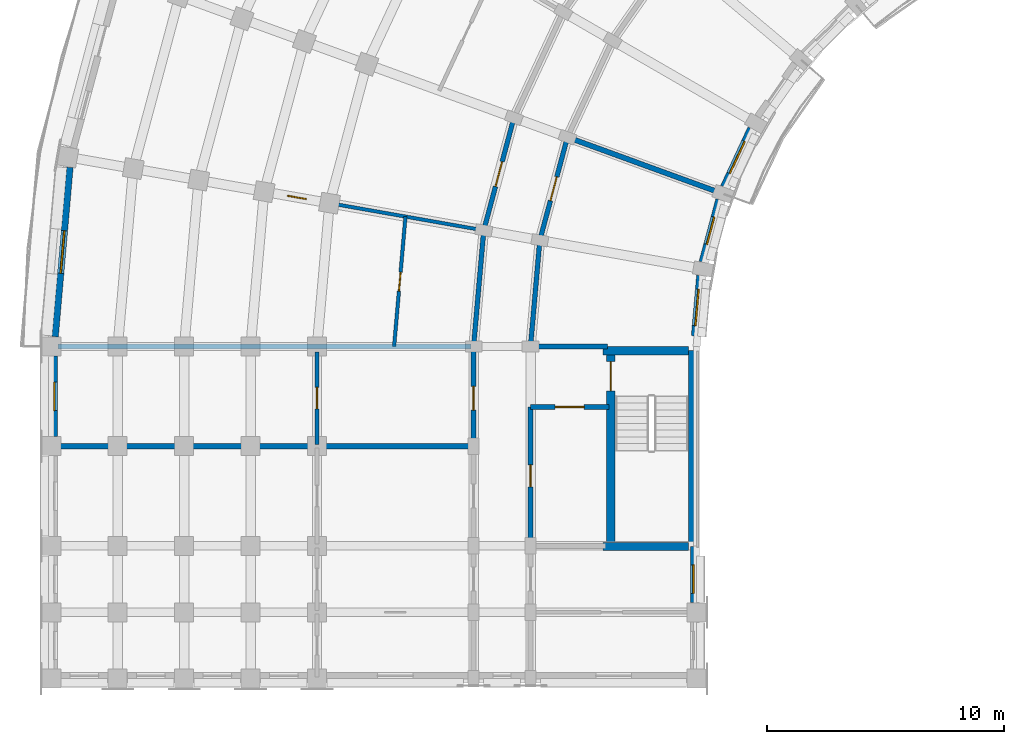
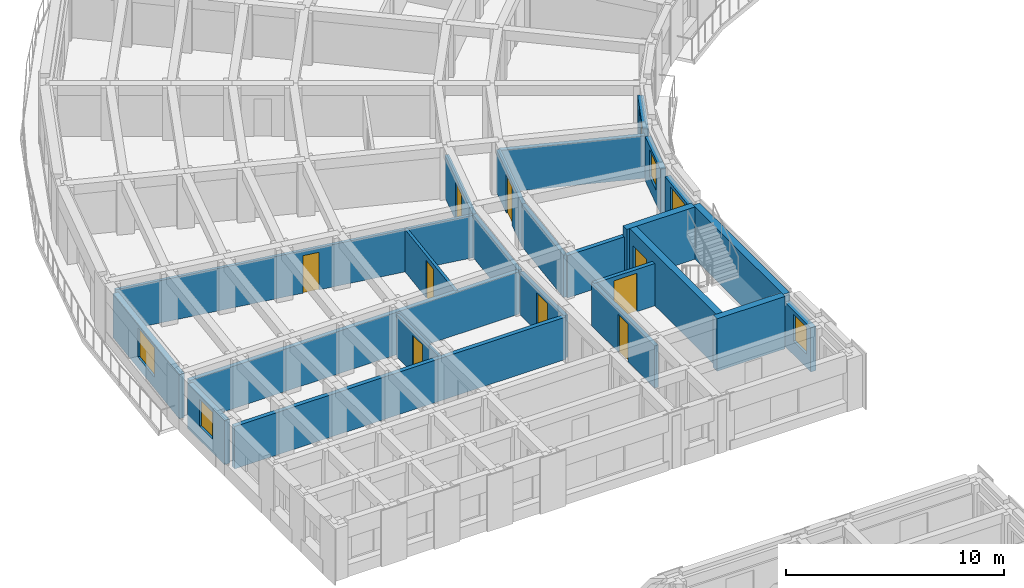
# One storey, part 23 of 54: 24 walls, 9 doors, 6 windows, 15 openings.
"""IFC4 building model written with IfcOpenShell, lengths in metres."""

import ifcopenshell
import ifcopenshell.guid

model = None  # the IFC model being written
_history = None  # IfcOwnerHistory: only IFC2X3 demands one
_inside = {}  # id of a spatial element -> (the spatial element, [elements in it])
_under = {}  # id of a project, library or spatial element -> (it, [spatial elements below it])
_declared = {}  # id of a project -> (the project, [libraries it declares])
_typed = {}  # id of a type object -> (the type object, [elements of that type])
_made_of = {}  # id of a material, layer set ... -> (it, [elements and type objects made of it])


def new_model(schema):
    """Start an empty IFC model of exactly this schema.

    Asked for "IFC4X3", IfcOpenShell would pick the latest addendum, in which some entities
    have other attributes; the version numbers below select the first issue.
    IFC2X3 requires an IfcOwnerHistory on every rooted entity: one is made here for all.
    """
    global model, _history
    if schema == "IFC4X3":
        model = ifcopenshell.file(schema_version=(4, 3, 0, 0))
    else:
        model = ifcopenshell.file(schema=schema)
    _inside.clear()
    _under.clear()
    _declared.clear()
    _typed.clear()
    _made_of.clear()
    _history = None
    if model.schema == "IFC2X3":
        org = make("IfcOrganization", Name="unknown")
        user = make(
            "IfcPersonAndOrganization",
            ThePerson=make("IfcPerson", FamilyName="unknown"),
            TheOrganization=org,
        )
        app = make(
            "IfcApplication",
            ApplicationDeveloper=org,
            Version="unknown",
            ApplicationFullName="unknown",
            ApplicationIdentifier="unknown",
        )
        _history = make(
            "IfcOwnerHistory",
            OwningUser=user,
            OwningApplication=app,
            ChangeAction="ADDED",
            CreationDate=0,
        )
    return model


def make(cls, **values):
    """One entity of the class cls with the attributes given. An attribute that is None is left unset."""
    return model.create_entity(
        cls, **{name: value for name, value in values.items() if value is not None}
    )


def rooted(cls, **values):
    """An entity with a GlobalId (a new one), such as an element, a storey or a relation."""
    return make(cls, GlobalId=ifcopenshell.guid.new(), OwnerHistory=_history, **values)


def si_unit(unit_type, name, prefix=None):
    """IfcSIUnit, for example si_unit("LENGTHUNIT", "METRE", prefix="MILLI")."""
    return make("IfcSIUnit", UnitType=unit_type, Prefix=prefix, Name=name)


def assignment(units):
    """IfcUnitAssignment: the units of a project."""
    return None if units is None else make("IfcUnitAssignment", Units=units)


def point(xyz):
    """IfcCartesianPoint."""
    return None if xyz is None else make("IfcCartesianPoint", Coordinates=xyz)


def direction(xyz):
    """IfcDirection."""
    return None if xyz is None else make("IfcDirection", DirectionRatios=xyz)


def frame(location, z_axis=None, x_axis=None):
    """IfcAxis2Placement3D, a coordinate frame: its origin and axes. An axis left out is left unset."""
    return make(
        "IfcAxis2Placement3D",
        Location=point(location),
        Axis=direction(z_axis),
        RefDirection=direction(x_axis),
    )


def frame_2d(location, x_axis=None):
    """IfcAxis2Placement2D, a coordinate frame in the plane: its origin and x axis."""
    return make(
        "IfcAxis2Placement2D", Location=point(location), RefDirection=direction(x_axis)
    )


def origin():
    """The frame at (0, 0, 0) with its axes left unset."""
    return frame((0.0, 0.0, 0.0))


def place(relative_to, where):
    """IfcLocalPlacement: puts the frame where relative to a parent placement (None: the world)."""
    return make(
        "IfcLocalPlacement", PlacementRelTo=relative_to, RelativePlacement=where
    )


def context(
    kind, dimensions, precision=None, world=None, true_north=None, identifier=None
):
    """IfcGeometricRepresentationContext, for example the 3D "Model" context."""
    return make(
        "IfcGeometricRepresentationContext",
        ContextIdentifier=identifier,
        ContextType=kind,
        CoordinateSpaceDimension=dimensions,
        Precision=precision,
        WorldCoordinateSystem=world,
        TrueNorth=true_north,
    )


def subcontext(parent, identifier, kind, view, scale=None):
    """IfcGeometricRepresentationSubContext, for example "Body" below "Model"."""
    return make(
        "IfcGeometricRepresentationSubContext",
        ContextIdentifier=identifier,
        ContextType=kind,
        ParentContext=parent,
        TargetScale=scale,
        TargetView=view,
    )


def project(units=None, contexts=None):
    """IfcProject with its units and contexts."""
    return rooted(
        "IfcProject",
        Name="project",
        RepresentationContexts=contexts,
        UnitsInContext=assignment(units),
    )


def spatial(cls, under=None, at=None, **own):
    """A site, building, storey or space (cls), placed at a placement, below another one or the project."""
    s = rooted(cls, ObjectPlacement=at, **own)
    if under is not None:
        _under.setdefault(under.id(), (under, []))[1].append(s)
    return s


def profile(cls, at=None, kind="AREA", **sizes):
    """A parametric profile (cls). Its sizes go by their IFC names, for example OverallWidth=200.0."""
    return make(cls, ProfileType=kind, Position=at, **sizes)


def rectangle(**sizes):
    """IfcRectangleProfileDef."""
    return profile("IfcRectangleProfileDef", **sizes)


def extrude(swept, where, along, depth):
    """IfcExtrudedAreaSolid: the profile swept, set in the frame where, extruded along a direction by depth."""
    return make(
        "IfcExtrudedAreaSolid",
        SweptArea=swept,
        Position=where,
        ExtrudedDirection=direction(along),
        Depth=depth,
    )


def shape(context_of_items, identifier, shape_type, items):
    """IfcShapeRepresentation: the items that make up one representation, for example the "Body"."""
    return make(
        "IfcShapeRepresentation",
        ContextOfItems=context_of_items,
        RepresentationIdentifier=identifier,
        RepresentationType=shape_type,
        Items=items,
    )


def material(Name=None, Category=None):
    """IfcMaterial."""
    return make("IfcMaterial", Name=Name, Category=Category)


def layer(
    of_material, thickness, ventilated=None, Name=None, Category=None, Priority=None
):
    """IfcMaterialLayer: one layer of a wall or slab, of a material (None: an air gap)."""
    return make(
        "IfcMaterialLayer",
        Material=of_material,
        LayerThickness=thickness,
        IsVentilated=ventilated,
        Name=Name,
        Category=Category,
        Priority=Priority,
    )


def layer_set(layers, Name=None):
    """IfcMaterialLayerSet."""
    return make("IfcMaterialLayerSet", MaterialLayers=layers, LayerSetName=Name)


def made_of(thing, what):
    """Note that an element or type object is made of a material, layer set ...; save() writes the relation."""
    if what is not None:
        _made_of.setdefault(what.id(), (what, []))[1].append(thing)
    return thing


def type_object(cls, material=None, **own):
    """A type object (cls), such as IfcWallType, which elements share."""
    return made_of(rooted(cls, **own), material)


def element(
    cls,
    number,
    at=None,
    inside=None,
    cuts=None,
    type_object=None,
    material=None,
    context=None,
    identifier="Body",
    shape_type=None,
    held_by="IfcProductDefinitionShape",
    body=None,
    shapes=None,
    **own,
):
    """One element of the class cls, such as IfcWall. Its Tag is "e" and its number.

    at: its placement. inside: the storey or other place that contains it. cuts: it is an
    opening in that element (IfcRelVoidsElement). A single representation is given by context,
    identifier, shape_type and body (its items); several are given by shapes. held_by: the class
    of the entity that holds the representations. save() writes the other relations.
    """
    e = rooted(cls, Tag="e%d" % number, ObjectPlacement=at, **own)
    if body is not None:
        shapes = [shape(context, identifier, shape_type, body)]
    if shapes is not None:
        e.Representation = make(held_by, Representations=shapes)
    if inside is not None:
        _inside.setdefault(inside.id(), (inside, []))[1].append(e)
    if cuts is not None:
        rooted(
            "IfcRelVoidsElement", RelatingBuildingElement=cuts, RelatedOpeningElement=e
        )
    if type_object is not None:
        _typed.setdefault(type_object.id(), (type_object, []))[1].append(e)
    return made_of(e, material)


def fill(opening, filler):
    """IfcRelFillsElement: the door or window that sits in an opening."""
    return rooted(
        "IfcRelFillsElement",
        RelatingOpeningElement=opening,
        RelatedBuildingElement=filler,
    )


def aggregate(whole, parts):
    """IfcRelAggregates: a whole, such as a stair, and the parts it consists of."""
    return rooted("IfcRelAggregates", RelatingObject=whole, RelatedObjects=parts)


def save(model, path):
    """Write the relations noted so far, then the file.

    IfcRelAggregates (storeys below a building ...), IfcRelContainedInSpatialStructure (elements
    in a storey), IfcRelDefinesByType, IfcRelAssociatesMaterial and IfcRelDeclares: one each for
    every whole, place, type object, material and project.
    """
    for whole, parts in _under.values():
        aggregate(whole, parts)
    for where, things in _inside.values():
        rooted(
            "IfcRelContainedInSpatialStructure",
            RelatedElements=things,
            RelatingStructure=where,
        )
    for kind, things in _typed.values():
        rooted("IfcRelDefinesByType", RelatedObjects=things, RelatingType=kind)
    for what, things in _made_of.values():
        rooted("IfcRelAssociatesMaterial", RelatedObjects=things, RelatingMaterial=what)
    for by, libraries in _declared.values():
        rooted("IfcRelDeclares", RelatingContext=by, RelatedDefinitions=libraries)
    model.write(path)


model = new_model("IFC4")

# Units and contexts
model_context = context("Model", 3, precision=1e-05, world=origin(), true_north=direction((0.0, 1.0)))
body_context = subcontext(model_context, "Body", "Model", "MODEL_VIEW")
ifc_project = project(units=[si_unit("LENGTHUNIT", "METRE"), si_unit("AREAUNIT", "SQUARE_METRE"), si_unit("VOLUMEUNIT", "CUBIC_METRE"), si_unit("PLANEANGLEUNIT", "RADIAN"), si_unit("MASSUNIT", "GRAM", prefix="KILO")], contexts=[model_context])

# Site, building, storey
site_placement = place(None, origin())
site = spatial("IfcSite", under=ifc_project, at=site_placement, CompositionType="ELEMENT")
building_placement = place(site_placement, origin())
building = spatial("IfcBuilding", under=site, at=building_placement, Name="Kiranvali Square Residences", CompositionType="ELEMENT")
storey_placement = place(building_placement, frame((0.0, 0.0, 15.0)))
storey = spatial("IfcBuildingStorey", under=building, at=storey_placement, Name="L04", CompositionType="ELEMENT", Elevation=15.0)

# Wall, opening, door
ifc_material_1 = material(Name="Autoclaved aerated concrete blockwork masonry", Category="masonry")
ifc_layer_1 = layer(ifc_material_1, 0.199951171875)
ifc_layer_set_1 = layer_set([ifc_layer_1], Name="Autoclaved aerated concrete blockwork masonry")
wall_type_1 = type_object("IfcWallType", Name="WL-COR-200", PredefinedType="STANDARD", material=ifc_layer_set_1)
wall_1_placement = place(storey_placement, frame((25.699951171875, 85.25, 0.0), z_axis=(0.0, 0.0, 1.0), x_axis=(-1.0, 0.0, 0.0)))
wall_1 = element("IfcWall", 1, at=wall_1_placement, inside=storey, type_object=wall_type_1, Name="L04 architectural wall WL-L04-A-S3-V", PredefinedType="STANDARD", context=body_context, shape_type="SweptSolid", body=[
    extrude(rectangle(XDim=3.300048828125, YDim=0.199951171875, at=frame_2d((1.64990234375, 0.0))), origin(), (0.0, 0.0, 1.0), 2.3720703125),
])
opening_1_placement = place(wall_1_placement, frame((1.0400390625, 0.0, 0.0)))
opening_1 = element("IfcOpeningElement", 2, at=opening_1_placement, cuts=wall_1, Name="Opening FD-COR-60", PredefinedType="OPENING", context=body_context, shape_type="SweptSolid", body=[
    extrude(rectangle(XDim=1.219970703125, YDim=2.14990234375, at=frame_2d((0.60986328125, 1.074951171875))), frame((0.0, 0.10986328125, 0.0), z_axis=(0.0, -1.0, 0.0), x_axis=(1.0, 0.0, 0.0)), (0.0, 0.0, 1.0), 0.219970703125),
])
ifc_material_2 = material(Name="Fire-rated acoustic hardwood and mineral-core door assembly", Category="wood")
door_type_1 = type_object("IfcDoorType", Name="DR-FD60-1200", OperationType="NOTDEFINED", PredefinedType="DOOR", material=ifc_material_2)
door_1_placement = place(opening_1_placement, frame((1.219970703125, 0.0, 0.0), z_axis=(0.0, 0.0, 1.0), x_axis=(-1.0, 0.0, 0.0)))
door_1 = element("IfcDoor", 3, at=door_1_placement, inside=storey, type_object=door_type_1, Name="L04 door DR-L04-0284 (DR-FD60-1200)", OperationType="SINGLE_SWING_RIGHT", OverallHeight=2.14990234375, OverallWidth=1.219970703125, PredefinedType="DOOR", context=body_context, shape_type="SweptSolid", body=[
    extrude(rectangle(XDim=1.219970703125, YDim=2.14990234375, at=frame_2d((0.60986328125, 1.074951171875))), frame((0.0, 0.02490234375, 0.0), z_axis=(0.0, -1.0, 0.0), x_axis=(1.0, 0.0, 0.0)), (0.0, 0.0, 1.0), 0.050048828125),
])
fill(opening_1, door_1)

wall_2_placement = place(storey_placement, frame((22.39990234375, 85.25, 0.0), z_axis=(0.0, 0.0, 1.0), x_axis=(0.0, -1.0, 0.0)))
wall_2 = element("IfcWall", 4, at=wall_2_placement, inside=storey, type_object=wall_type_1, Name="L04 architectural wall WL-L04-A-S3-COR", PredefinedType="STANDARD", context=body_context, shape_type="SweptSolid", body=[
    extrude(rectangle(XDim=5.800048828125, YDim=0.199951171875, at=frame_2d((2.89990234375, 0.0))), origin(), (0.0, 0.0, 1.0), 2.3720703125),
])
opening_2_placement = place(wall_2_placement, frame((2.43994140625, 0.0, 0.0)))
opening_2 = element("IfcOpeningElement", 5, at=opening_2_placement, cuts=wall_2, Name="Opening FD-SVC-120", PredefinedType="OPENING", context=body_context, shape_type="SweptSolid", body=[
    extrude(rectangle(XDim=0.919921875, YDim=2.10009765625, at=frame_2d((0.4599609375, 1.050048828125))), frame((0.0, 0.10986328125, 0.0), z_axis=(0.0, -1.0, 0.0), x_axis=(1.0, 0.0, 0.0)), (0.0, 0.0, 1.0), 0.219970703125),
])
door_type_2 = type_object("IfcDoorType", Name="DR-SVC-900", OperationType="NOTDEFINED", PredefinedType="DOOR", material=ifc_material_2)
door_2_placement = place(opening_2_placement, origin())
door_2 = element("IfcDoor", 6, at=door_2_placement, inside=storey, type_object=door_type_2, Name="L04 door DR-L04-0285 (DR-SVC-900)", OperationType="SINGLE_SWING_LEFT", OverallHeight=2.10009765625, OverallWidth=0.919921875, PredefinedType="DOOR", context=body_context, shape_type="SweptSolid", body=[
    extrude(rectangle(XDim=0.919921875, YDim=2.10009765625, at=frame_2d((0.4599609375, 1.050048828125))), frame((0.0, 0.02490234375, 0.0), z_axis=(0.0, -1.0, 0.0), x_axis=(1.0, 0.0, 0.0)), (0.0, 0.0, 1.0), 0.050048828125),
])
fill(opening_2, door_2)

wall_3_placement = place(storey_placement, frame((23.955810546875, 96.6240234375, 0.0), z_axis=(0.0, 0.0, 1.0), x_axis=(-0.258787642463, -0.965934240054, 0.0)))
wall_3 = element("IfcWall", 7, at=wall_3_placement, inside=storey, type_object=wall_type_1, Name="L04 architectural wall WL-L04-A-CCI-7", PredefinedType="STANDARD", context=body_context, shape_type="SweptSolid", body=[
    extrude(rectangle(XDim=4.497314453125, YDim=0.199951171875, at=frame_2d((2.24853515625, 0.0))), origin(), (0.0, 0.0, 1.0), 2.3720703125),
])
opening_3_placement = place(wall_3_placement, frame((1.728515625, 0.0, 0.0)))
opening_3 = element("IfcOpeningElement", 8, at=opening_3_placement, cuts=wall_3, Name="Opening FD-APT-60B", PredefinedType="OPENING", context=body_context, shape_type="SweptSolid", body=[
    extrude(rectangle(XDim=1.0400390625, YDim=2.14990234375, at=frame_2d((0.52001953125, 1.074951171875))), frame((0.0, 0.10986328125, 0.0), z_axis=(0.0, -1.0, 0.0), x_axis=(1.0, 0.0, 0.0)), (0.0, 0.0, 1.0), 0.219970703125),
])
door_type_3 = type_object("IfcDoorType", Name="DR-APT-1040", OperationType="NOTDEFINED", PredefinedType="DOOR", material=ifc_material_2)
door_3_placement = place(opening_3_placement, origin())
door_3 = element("IfcDoor", 9, at=door_3_placement, inside=storey, type_object=door_type_3, Name="L04 door DR-L04-0319 (DR-APT-1040)", OperationType="SINGLE_SWING_LEFT", OverallHeight=2.14990234375, OverallWidth=1.0400390625, PredefinedType="DOOR", context=body_context, shape_type="SweptSolid", body=[
    extrude(rectangle(XDim=1.0400390625, YDim=2.14990234375, at=frame_2d((0.52001953125, 1.074951171875))), frame((0.0, 0.02490234375, 0.0), z_axis=(0.0, -1.0, 0.0), x_axis=(1.0, 0.0, 0.0)), (0.0, 0.0, 1.0), 0.050048828125),
])
fill(opening_3, door_3)

wall_4_placement = place(storey_placement, frame((21.70068359375, 97.445068359375, 0.0), z_axis=(0.0, 0.0, 1.0), x_axis=(-0.258803112091, -0.965930095386, 0.0)))
wall_4 = element("IfcWall", 10, at=wall_4_placement, inside=storey, type_object=wall_type_1, Name="L04 architectural wall WL-L04-A-CCO-7", PredefinedType="STANDARD", context=body_context, shape_type="SweptSolid", body=[
    extrude(rectangle(XDim=4.915771484375, YDim=0.199951171875, at=frame_2d((2.4580078125, 0.0))), origin(), (0.0, 0.0, 1.0), 2.3720703125),
])
opening_4_placement = place(wall_4_placement, frame((1.917724609375, 0.0, 0.0)))
opening_4 = element("IfcOpeningElement", 11, at=opening_4_placement, cuts=wall_4, Name="Opening FD-APT-60C", PredefinedType="OPENING", context=body_context, shape_type="SweptSolid", body=[
    extrude(rectangle(XDim=1.080078125, YDim=2.14990234375, at=frame_2d((0.5400390625, 1.074951171875))), frame((0.0, 0.10986328125, 0.0), z_axis=(0.0, -1.0, 0.0), x_axis=(1.0, 0.0, 0.0)), (0.0, 0.0, 1.0), 0.219970703125),
])
door_type_4 = type_object("IfcDoorType", Name="DR-APT-1080", OperationType="NOTDEFINED", PredefinedType="DOOR", material=ifc_material_2)
door_4_placement = place(opening_4_placement, frame((1.080078125, 0.0, 0.0), z_axis=(0.0, 0.0, 1.0), x_axis=(-1.0, 0.0, 0.0)))
door_4 = element("IfcDoor", 12, at=door_4_placement, inside=storey, type_object=door_type_4, Name="L04 door DR-L04-0314 (DR-APT-1080)", OperationType="SINGLE_SWING_RIGHT", OverallHeight=2.14990234375, OverallWidth=1.080078125, PredefinedType="DOOR", context=body_context, shape_type="SweptSolid", body=[
    extrude(rectangle(XDim=1.080078125, YDim=2.14990234375, at=frame_2d((0.5400390625, 1.074951171875))), frame((0.0, 0.02490234375, 0.0), z_axis=(0.0, -1.0, 0.0), x_axis=(1.0, 0.0, 0.0)), (0.0, 0.0, 1.0), 0.050048828125),
])
fill(opening_4, door_4)

# Walls
wall_5_placement = place(storey_placement, frame((22.7919921875, 92.280029296875, 0.0), z_axis=(0.0, 0.0, 1.0), x_axis=(-0.087187153726, -0.996191949488, 0.0)))
element("IfcWall", 13, at=wall_5_placement, inside=storey, type_object=wall_type_1, Name="L04 architectural wall WL-L04-A-CCI-8", PredefinedType="STANDARD", context=body_context, shape_type="SweptSolid", body=[
    extrude(rectangle(XDim=4.4970703125, YDim=0.199951171875, at=frame_2d((2.24853515625, 0.0))), origin(), (0.0, 0.0, 1.0), 2.3720703125),
])
wall_6_placement = place(storey_placement, frame((20.428466796875, 92.69677734375, 0.0), z_axis=(0.0, 0.0, 1.0), x_axis=(-0.087167566415, -0.996193663584, 0.0)))
element("IfcWall", 14, at=wall_6_placement, inside=storey, type_object=wall_type_1, Name="L04 architectural wall WL-L04-A-CCO-8", PredefinedType="STANDARD", context=body_context, shape_type="SweptSolid", body=[
    extrude(rectangle(XDim=4.91552734375, YDim=0.199951171875, at=frame_2d((2.457763671875, 0.0))), origin(), (0.0, 0.0, 1.0), 2.3720703125),
])

# Wall, opening, door
wall_7_placement = place(storey_placement, frame((20.0, 87.64990234375, 0.0), z_axis=(0.0, 0.0, 1.0), x_axis=(0.0, -1.0, 0.0)))
wall_7 = element("IfcWall", 15, at=wall_7_placement, inside=storey, type_object=wall_type_1, Name="L04 architectural wall WL-L04-A-A2CF-C0", PredefinedType="STANDARD", context=body_context, shape_type="SweptSolid", body=[
    extrude(rectangle(XDim=4.0498046875, YDim=0.199951171875, at=frame_2d((2.02490234375, 0.0))), origin(), (0.0, 0.0, 1.0), 2.3720703125),
])
opening_5_placement = place(wall_7_placement, frame((1.52490234375, 0.0, 0.0)))
opening_5 = element("IfcOpeningElement", 16, at=opening_5_placement, cuts=wall_7, Name="Opening FD-APT-60", PredefinedType="OPENING", context=body_context, shape_type="SweptSolid", body=[
    extrude(rectangle(XDim=1.0, YDim=2.14990234375, at=frame_2d((0.5, 1.074951171875))), frame((0.0, 0.10986328125, 0.0), z_axis=(0.0, -1.0, 0.0), x_axis=(1.0, 0.0, 0.0)), (0.0, 0.0, 1.0), 0.219970703125),
])
door_type_5 = type_object("IfcDoorType", Name="DR-APT-1000", OperationType="NOTDEFINED", PredefinedType="DOOR", material=ifc_material_2)
door_5_placement = place(opening_5_placement, frame((1.0, 0.0, 0.0), z_axis=(0.0, 0.0, 1.0), x_axis=(-1.0, 0.0, 0.0)))
door_5 = element("IfcDoor", 17, at=door_5_placement, inside=storey, type_object=door_type_5, Name="L04 door DR-L04-0320 (DR-APT-1000)", OperationType="SINGLE_SWING_RIGHT", OverallHeight=2.14990234375, OverallWidth=1.0, PredefinedType="DOOR", context=body_context, shape_type="SweptSolid", body=[
    extrude(rectangle(XDim=1.0, YDim=2.14990234375, at=frame_2d((0.5, 1.074951171875))), frame((0.0, 0.02490234375, 0.0), z_axis=(0.0, -1.0, 0.0), x_axis=(1.0, 0.0, 0.0)), (0.0, 0.0, 1.0), 0.050048828125),
])
fill(opening_5, door_5)

# Walls
ifc_layer_2 = layer(ifc_material_1, 0.219970703125)
ifc_layer_set_2 = layer_set([ifc_layer_2], Name="Autoclaved aerated concrete blockwork masonry")
wall_type_2 = type_object("IfcWallType", Name="WL-DEM-220", PredefinedType="STANDARD", material=ifc_layer_set_2)
wall_8_placement = place(storey_placement, frame((30.345947265625, 94.29833984375, 0.0), z_axis=(0.0, 0.0, 1.0), x_axis=(-0.939696231917, 0.342010221662, 0.0)))
element("IfcWall", 18, at=wall_8_placement, inside=storey, type_object=wall_type_2, Name="L04 architectural wall WL-L04-A-RADI-7", PredefinedType="STANDARD", context=body_context, shape_type="SweptSolid", body=[
    extrude(rectangle(XDim=6.75, YDim=0.219970703125, at=frame_2d((3.375, 0.0))), origin(), (0.0, 0.0, 1.0), 2.3720703125),
])
wall_9_placement = place(storey_placement, frame((25.64990234375, 87.800048828125, 0.0), z_axis=(0.0, 0.0, 1.0), x_axis=(-1.0, 0.0, 0.0)))
element("IfcWall", 19, at=wall_9_placement, inside=storey, type_object=wall_type_2, Name="L04 architectural wall WL-L04-A-RADI-9", PredefinedType="STANDARD", context=body_context, shape_type="SweptSolid", body=[
    extrude(rectangle(XDim=3.199951171875, YDim=0.219970703125, at=frame_2d((1.60009765625, 0.0))), origin(), (0.0, 0.0, 1.0), 2.3720703125),
])
wall_10_placement = place(storey_placement, frame((19.89990234375, 87.800048828125, 0.0), z_axis=(0.0, 0.0, 1.0), x_axis=(-1.0, 0.0, 0.0)))
element("IfcWall", 20, at=wall_10_placement, inside=storey, type_object=wall_type_2, Name="L04 architectural wall WL-L04-A-RADO-9", PredefinedType="STANDARD", context=body_context, shape_type="SweptSolid", body=[
    extrude(rectangle(XDim=17.419921875, YDim=0.219970703125, at=frame_2d((8.7099609375, 0.0))), origin(), (0.0, 0.0, 1.0), 2.3720703125),
])
wall_11_placement = place(storey_placement, frame((19.949951171875, 83.60009765625, 0.0), z_axis=(0.0, 0.0, 1.0), x_axis=(-1.0, 0.0, 0.0)))
element("IfcWall", 21, at=wall_11_placement, inside=storey, type_object=wall_type_2, Name="L04 architectural wall WL-L04-A-A2CF-MID", PredefinedType="STANDARD", context=body_context, shape_type="SweptSolid", body=[
    extrude(rectangle(XDim=17.530029296875, YDim=0.219970703125, at=frame_2d((8.76513671875, 0.0))), origin(), (0.0, 0.0, 1.0), 2.3720703125),
])

# Wall, opening, window
ifc_material_3 = material(Name="Breathable lime-rendered clay brick masonry", Category="masonry")
ifc_layer_3 = layer(ifc_material_3, 0.27490234375)
ifc_layer_set_3 = layer_set([ifc_layer_3], Name="Breathable lime-rendered clay brick masonry")
wall_type_3 = type_object("IfcWallType", Name="WL-EXT-275", PredefinedType="STANDARD", material=ifc_layer_set_3)
wall_12_placement = place(storey_placement, frame((2.986083984375, 95.351318359375, 0.0), z_axis=(0.0, 0.0, 1.0), x_axis=(-0.08713989423, -0.99619608453, 0.0)))
wall_12 = element("IfcWall", 22, at=wall_12_placement, inside=storey, type_object=wall_type_3, Name="L04 exterior wall A-L04-CRV-08", PredefinedType="STANDARD", context=body_context, shape_type="SweptSolid", body=[
    extrude(rectangle(XDim=7.1640625, YDim=0.27490234375, at=frame_2d((3.58203125, 0.0))), origin(), (0.0, 0.0, 1.0), 2.471923828125),
])
opening_6_placement = place(wall_12_placement, frame((2.68212890625, 0.0, 0.6220703125)))
opening_6 = element("IfcOpeningElement", 23, at=opening_6_placement, cuts=wall_12, Name="Opening W-04", PredefinedType="OPENING", context=body_context, shape_type="SweptSolid", body=[
    extrude(rectangle(XDim=1.800048828125, YDim=1.64990234375, at=frame_2d((0.89990234375, 0.824951171875))), frame((0.0, 0.1474609375, 0.0), z_axis=(0.0, -1.0, 0.0), x_axis=(1.0, 0.0, 0.0)), (0.0, 0.0, 1.0), 0.294921875),
])
ifc_material_4 = material(Name="Solar-control low-e double glazing", Category="glass")
window_type_1 = type_object("IfcWindowType", Name="WIN-RES-1800x1650", PartitioningType="DOUBLE_PANEL_VERTICAL", PredefinedType="WINDOW", material=ifc_material_4)
window_1_placement = place(opening_6_placement, origin())
window_1 = element("IfcWindow", 24, at=window_1_placement, inside=storey, type_object=window_type_1, Name="L04 recessed window A-L04-CRV-08", OverallHeight=1.64990234375, OverallWidth=1.800048828125, PartitioningType="DOUBLE_PANEL_VERTICAL", PredefinedType="WINDOW", context=body_context, shape_type="SweptSolid", body=[
    extrude(rectangle(XDim=1.800048828125, YDim=1.64990234375, at=frame_2d((0.89990234375, 0.824951171875))), frame((0.0, 0.030029296875, 0.0), z_axis=(0.0, -1.0, 0.0), x_axis=(1.0, 0.0, 0.0)), (0.0, 0.0, 1.0), 0.06005859375),
])
fill(opening_6, window_1)

wall_13_placement = place(storey_placement, frame((31.687255859375, 96.999267578125, 0.0), z_axis=(0.0, 0.0, 1.0), x_axis=(-0.422610022166, -0.906311629168, 0.0)))
wall_13 = element("IfcWall", 25, at=wall_13_placement, inside=storey, type_object=wall_type_3, Name="L04 exterior wall A-L04-GDN-06", PredefinedType="STANDARD", context=body_context, shape_type="SweptSolid", body=[
    extrude(rectangle(XDim=2.717529296875, YDim=0.27490234375, at=frame_2d((1.35888671875, 0.0))), origin(), (0.0, 0.0, 1.0), 2.471923828125),
])
opening_7_placement = place(wall_13_placement, frame((0.608642578125, 0.0, 0.6220703125)))
opening_7 = element("IfcOpeningElement", 26, at=opening_7_placement, cuts=wall_13, Name="Opening W-05", PredefinedType="OPENING", context=body_context, shape_type="SweptSolid", body=[
    extrude(rectangle(XDim=1.5, YDim=1.64990234375, at=frame_2d((0.75, 0.824951171875))), frame((0.0, 0.1474609375, 0.0), z_axis=(0.0, -1.0, 0.0), x_axis=(1.0, 0.0, 0.0)), (0.0, 0.0, 1.0), 0.294921875),
])
window_type_2 = type_object("IfcWindowType", Name="WIN-RES-1500x1650", PartitioningType="DOUBLE_PANEL_VERTICAL", PredefinedType="WINDOW", material=ifc_material_4)
window_2_placement = place(opening_7_placement, origin())
window_2 = element("IfcWindow", 27, at=window_2_placement, inside=storey, type_object=window_type_2, Name="L04 recessed window A-L04-GDN-06", OverallHeight=1.64990234375, OverallWidth=1.5, PartitioningType="DOUBLE_PANEL_VERTICAL", PredefinedType="WINDOW", context=body_context, shape_type="SweptSolid", body=[
    extrude(rectangle(XDim=1.5, YDim=1.64990234375, at=frame_2d((0.75, 0.824951171875))), frame((0.0, 0.030029296875, 0.0), z_axis=(0.0, -1.0, 0.0), x_axis=(1.0, 0.0, 0.0)), (0.0, 0.0, 1.0), 0.06005859375),
])
fill(opening_7, window_2)

wall_14_placement = place(storey_placement, frame((30.340576171875, 93.9921875, 0.0), z_axis=(0.0, 0.0, 1.0), x_axis=(-0.258819907011, -0.965925595341, 0.0)))
wall_14 = element("IfcWall", 28, at=wall_14_placement, inside=storey, type_object=wall_type_3, Name="L04 exterior wall A-L04-GDN-07", PredefinedType="STANDARD", context=body_context, shape_type="SweptSolid", body=[
    extrude(rectangle(XDim=2.717529296875, YDim=0.27490234375, at=frame_2d((1.35888671875, 0.0))), origin(), (0.0, 0.0, 1.0), 2.471923828125),
])
opening_8_placement = place(wall_14_placement, frame((0.7587890625, 0.0, 0.77197265625)))
opening_8 = element("IfcOpeningElement", 29, at=opening_8_placement, cuts=wall_14, Name="Opening W-06", PredefinedType="OPENING", context=body_context, shape_type="SweptSolid", body=[
    extrude(rectangle(XDim=1.199951171875, YDim=1.5, at=frame_2d((0.60009765625, 0.75))), frame((0.0, 0.1474609375, 0.0), z_axis=(0.0, -1.0, 0.0), x_axis=(1.0, 0.0, 0.0)), (0.0, 0.0, 1.0), 0.294921875),
])
window_type_3 = type_object("IfcWindowType", Name="WIN-RES-1200x1500", PartitioningType="SINGLE_PANEL", PredefinedType="WINDOW", material=ifc_material_4)
window_3_placement = place(opening_8_placement, origin())
window_3 = element("IfcWindow", 30, at=window_3_placement, inside=storey, type_object=window_type_3, Name="L04 recessed window A-L04-GDN-07", OverallHeight=1.5, OverallWidth=1.199951171875, PartitioningType="SINGLE_PANEL", PredefinedType="WINDOW", context=body_context, shape_type="SweptSolid", body=[
    extrude(rectangle(XDim=1.199951171875, YDim=1.5, at=frame_2d((0.60009765625, 0.75))), frame((0.0, 0.030029296875, 0.0), z_axis=(0.0, -1.0, 0.0), x_axis=(1.0, 0.0, 0.0)), (0.0, 0.0, 1.0), 0.06005859375),
])
fill(opening_8, window_3)

wall_15_placement = place(storey_placement, frame((29.53662109375, 90.796875, 0.0), z_axis=(0.0, 0.0, 1.0), x_axis=(-0.08716102895, -0.996194235595, 0.0)))
wall_15 = element("IfcWall", 31, at=wall_15_placement, inside=storey, type_object=wall_type_3, Name="L04 exterior wall A-L04-GDN-08", PredefinedType="STANDARD", context=body_context, shape_type="SweptSolid", body=[
    extrude(rectangle(XDim=2.557373046875, YDim=0.27490234375, at=frame_2d((1.27880859375, 0.0))), origin(), (0.0, 0.0, 1.0), 2.471923828125),
])
opening_9_placement = place(wall_15_placement, frame((0.583740234375, 0.0, 0.672119140625)))
opening_9 = element("IfcOpeningElement", 32, at=opening_9_placement, cuts=wall_15, Name="Opening W-18", PredefinedType="OPENING", context=body_context, shape_type="SweptSolid", body=[
    extrude(rectangle(XDim=1.550048828125, YDim=1.60009765625, at=frame_2d((0.77490234375, 0.800048828125))), frame((0.0, 0.1474609375, 0.0), z_axis=(0.0, -1.0, 0.0), x_axis=(1.0, 0.0, 0.0)), (0.0, 0.0, 1.0), 0.294921875),
])
window_type_4 = type_object("IfcWindowType", Name="WIN-GDN-1550x1600", PartitioningType="DOUBLE_PANEL_VERTICAL", PredefinedType="WINDOW", material=ifc_material_4)
window_4_placement = place(opening_9_placement, origin())
window_4 = element("IfcWindow", 33, at=window_4_placement, inside=storey, type_object=window_type_4, Name="L04 recessed window A-L04-GDN-08", OverallHeight=1.60009765625, OverallWidth=1.550048828125, PartitioningType="DOUBLE_PANEL_VERTICAL", PredefinedType="WINDOW", context=body_context, shape_type="SweptSolid", body=[
    extrude(rectangle(XDim=1.550048828125, YDim=1.60009765625, at=frame_2d((0.77490234375, 0.800048828125))), frame((0.0, 0.030029296875, 0.0), z_axis=(0.0, -1.0, 0.0), x_axis=(1.0, 0.0, 0.0)), (0.0, 0.0, 1.0), 0.06005859375),
])
fill(opening_9, window_4)

wall_16_placement = place(storey_placement, frame((2.324951171875, 87.396484375, 0.0), z_axis=(0.0, 0.0, 1.0), x_axis=(0.0, -1.0, 0.0)))
wall_16 = element("IfcWall", 34, at=wall_16_placement, inside=storey, type_object=wall_type_3, Name="L04 exterior wall A-L04-A2O-0", PredefinedType="STANDARD", context=body_context, shape_type="SweptSolid", body=[
    extrude(rectangle(XDim=3.39306640625, YDim=0.27490234375, at=frame_2d((1.696533203125, 0.0))), origin(), (0.0, 0.0, 1.0), 2.471923828125),
])
opening_10_placement = place(wall_16_placement, frame((1.096435546875, 0.0, 0.77197265625)))
opening_10 = element("IfcOpeningElement", 35, at=opening_10_placement, cuts=wall_16, Name="Opening W-06", PredefinedType="OPENING", context=body_context, shape_type="SweptSolid", body=[
    extrude(rectangle(XDim=1.199951171875, YDim=1.5, at=frame_2d((0.60009765625, 0.75))), frame((0.0, 0.1474609375, 0.0), z_axis=(0.0, -1.0, 0.0), x_axis=(1.0, 0.0, 0.0)), (0.0, 0.0, 1.0), 0.294921875),
])
window_5_placement = place(opening_10_placement, origin())
window_5 = element("IfcWindow", 36, at=window_5_placement, inside=storey, type_object=window_type_3, Name="L04 recessed window A-L04-A2O-0", OverallHeight=1.5, OverallWidth=1.199951171875, PartitioningType="SINGLE_PANEL", PredefinedType="WINDOW", context=body_context, shape_type="SweptSolid", body=[
    extrude(rectangle(XDim=1.199951171875, YDim=1.5, at=frame_2d((0.60009765625, 0.75))), frame((0.0, 0.030029296875, 0.0), z_axis=(0.0, -1.0, 0.0), x_axis=(1.0, 0.0, 0.0)), (0.0, 0.0, 1.0), 0.06005859375),
])
fill(opening_10, window_5)

wall_17_placement = place(storey_placement, frame((29.27490234375, 79.37158203125, 0.0), z_axis=(0.0, 0.0, 1.0), x_axis=(0.0, -1.0, 0.0)))
wall_17 = element("IfcWall", 37, at=wall_17_placement, inside=storey, type_object=wall_type_3, Name="L04 exterior wall A-L04-A2I-0", PredefinedType="STANDARD", context=body_context, shape_type="SweptSolid", body=[
    extrude(rectangle(XDim=2.3681640625, YDim=0.27490234375, at=frame_2d((1.18408203125, 0.0))), origin(), (0.0, 0.0, 1.0), 2.471923828125),
])
opening_11_placement = place(wall_17_placement, frame((0.771484375, 0.0, 0.77197265625)))
opening_11 = element("IfcOpeningElement", 38, at=opening_11_placement, cuts=wall_17, Name="Opening W-06", PredefinedType="OPENING", context=body_context, shape_type="SweptSolid", body=[
    extrude(rectangle(XDim=1.199951171875, YDim=1.5, at=frame_2d((0.60009765625, 0.75))), frame((0.0, 0.1474609375, 0.0), z_axis=(0.0, -1.0, 0.0), x_axis=(1.0, 0.0, 0.0)), (0.0, 0.0, 1.0), 0.294921875),
])
window_6_placement = place(opening_11_placement, origin())
window_6 = element("IfcWindow", 39, at=window_6_placement, inside=storey, type_object=window_type_3, Name="L04 recessed window A-L04-A2I-0", OverallHeight=1.5, OverallWidth=1.199951171875, PartitioningType="SINGLE_PANEL", PredefinedType="WINDOW", context=body_context, shape_type="SweptSolid", body=[
    extrude(rectangle(XDim=1.199951171875, YDim=1.5, at=frame_2d((0.60009765625, 0.75))), frame((0.0, 0.030029296875, 0.0), z_axis=(0.0, -1.0, 0.0), x_axis=(1.0, 0.0, 0.0)), (0.0, 0.0, 1.0), 0.06005859375),
])
fill(opening_11, window_6)

# Wall, opening, door
ifc_material_5 = material(Name="Acoustic gypsum board drylined partition", Category="gypsum")
ifc_layer_4 = layer(ifc_material_5, 0.14990234375)
ifc_layer_set_4 = layer_set([ifc_layer_4], Name="Acoustic gypsum board drylined partition")
wall_type_4 = type_object("IfcWallType", Name="WL-PRT-150", PredefinedType="PARTITIONING", material=ifc_layer_set_4)
wall_18_placement = place(storey_placement, frame((20.329833984375, 92.71435546875, 0.0), z_axis=(0.0, 0.0, 1.0), x_axis=(-0.984808098809, 0.173646216546, 0.0)))
wall_18 = element("IfcWall", 40, at=wall_18_placement, inside=storey, type_object=wall_type_4, Name="L04 architectural wall WL-L04-A-RADO-8", PredefinedType="PARTITIONING", context=body_context, shape_type="SweptSolid", body=[
    extrude(rectangle(XDim=17.419921875, YDim=0.14990234375, at=frame_2d((8.7099609375, 0.0))), origin(), (0.0, 0.0, 1.0), 2.3720703125),
])
opening_12_placement = place(wall_18_placement, frame((7.5, 0.0, 0.0)))
opening_12 = element("IfcOpeningElement", 41, at=opening_12_placement, cuts=wall_18, Name="Opening ID-WET", PredefinedType="OPENING", context=body_context, shape_type="SweptSolid", body=[
    extrude(rectangle(XDim=0.800048828125, YDim=2.10009765625, at=frame_2d((0.39990234375, 1.050048828125))), frame((0.0, 0.0849609375, 0.0), z_axis=(0.0, -1.0, 0.0), x_axis=(1.0, 0.0, 0.0)), (0.0, 0.0, 1.0), 0.169921875),
])
ifc_material_6 = material(Name="Solid seasoned teak hardwood joinery", Category="wood")
door_type_6 = type_object("IfcDoorType", Name="DR-WET-800", OperationType="NOTDEFINED", PredefinedType="DOOR", material=ifc_material_6)
door_6_placement = place(opening_12_placement, frame((0.800048828125, 0.0, 0.0), z_axis=(0.0, 0.0, 1.0), x_axis=(-1.0, 0.0, 0.0)))
door_6 = element("IfcDoor", 42, at=door_6_placement, inside=storey, type_object=door_type_6, Name="L04 door DR-L04-0306 (DR-WET-800)", OperationType="SINGLE_SWING_RIGHT", OverallHeight=2.10009765625, OverallWidth=0.800048828125, PredefinedType="DOOR", context=body_context, shape_type="SweptSolid", body=[
    extrude(rectangle(XDim=0.800048828125, YDim=2.10009765625, at=frame_2d((0.39990234375, 1.050048828125))), frame((0.0, 0.02490234375, 0.0), z_axis=(0.0, -1.0, 0.0), x_axis=(1.0, 0.0, 0.0)), (0.0, 0.0, 1.0), 0.050048828125),
])
fill(opening_12, door_6)

wall_19_placement = place(storey_placement, frame((13.39990234375, 87.570068359375, 0.0), z_axis=(0.0, 0.0, 1.0), x_axis=(0.0, -1.0, 0.0)))
wall_19 = element("IfcWall", 43, at=wall_19_placement, inside=storey, type_object=wall_type_4, Name="L04 architectural wall WL-L04-A-A2CF-SP0", PredefinedType="PARTITIONING", context=body_context, shape_type="SweptSolid", body=[
    extrude(rectangle(XDim=3.89013671875, YDim=0.14990234375, at=frame_2d((1.945068359375, 0.0))), origin(), (0.0, 0.0, 1.0), 2.3720703125),
])
opening_13_placement = place(wall_19_placement, frame((1.4951171875, 0.0, 0.0)))
opening_13 = element("IfcOpeningElement", 44, at=opening_13_placement, cuts=wall_19, Name="Opening ID-1", PredefinedType="OPENING", context=body_context, shape_type="SweptSolid", body=[
    extrude(rectangle(XDim=0.89990234375, YDim=2.10009765625, at=frame_2d((0.449951171875, 1.050048828125))), frame((0.0, 0.0849609375, 0.0), z_axis=(0.0, -1.0, 0.0), x_axis=(1.0, 0.0, 0.0)), (0.0, 0.0, 1.0), 0.169921875),
])
door_type_7 = type_object("IfcDoorType", Name="DR-INT-900", OperationType="NOTDEFINED", PredefinedType="DOOR", material=ifc_material_6)
door_7_placement = place(opening_13_placement, origin())
door_7 = element("IfcDoor", 45, at=door_7_placement, inside=storey, type_object=door_type_7, Name="L04 door DR-L04-0321 (DR-INT-900)", OperationType="SINGLE_SWING_LEFT", OverallHeight=2.10009765625, OverallWidth=0.89990234375, PredefinedType="DOOR", context=body_context, shape_type="SweptSolid", body=[
    extrude(rectangle(XDim=0.89990234375, YDim=2.10009765625, at=frame_2d((0.449951171875, 1.050048828125))), frame((0.0, 0.02490234375, 0.0), z_axis=(0.0, -1.0, 0.0), x_axis=(1.0, 0.0, 0.0)), (0.0, 0.0, 1.0), 0.050048828125),
])
fill(opening_13, door_7)

# Wall
ifc_material_7 = material(Name="Concrete M50 (50 MPa)", Category="concrete")
ifc_layer_5 = layer(ifc_material_7, 0.35009765625)
ifc_layer_set_5 = layer_set([ifc_layer_5], Name="Concrete M50 (50 MPa)")
wall_type_5 = type_object("IfcWallType", Name="WL-SHR-350", PredefinedType="SHEAR", material=ifc_layer_set_5)
wall_20_placement = place(storey_placement, frame((29.22509765625, 87.625, 0.0), z_axis=(0.0, 0.0, 1.0), x_axis=(0.0, -1.0, 0.0)))
element("IfcWall", 46, at=wall_20_placement, inside=storey, type_object=wall_type_5, Name="Block A core shear wall SW-A3-OUT-L04", PredefinedType="SHEAR", context=body_context, shape_type="SweptSolid", body=[
    extrude(rectangle(XDim=8.25, YDim=0.35009765625, at=frame_2d((4.125, 0.0))), origin(), (0.0, 0.0, 1.0), 2.929931640625),
])

# Wall, opening, door
wall_21_placement = place(storey_placement, frame((25.77490234375, 87.449951171875, 0.0), z_axis=(0.0, 0.0, 1.0), x_axis=(0.0, -1.0, 0.0)))
wall_21 = element("IfcWall", 47, at=wall_21_placement, inside=storey, type_object=wall_type_5, Name="Block A core shear wall SW-A3-IN-L04", PredefinedType="SHEAR", context=body_context, shape_type="SweptSolid", body=[
    extrude(rectangle(XDim=7.89990234375, YDim=0.35009765625, at=frame_2d((3.949951171875, 0.0))), origin(), (0.0, 0.0, 1.0), 2.929931640625),
])
opening_14_placement = place(wall_21_placement, frame((0.280029296875, 0.0, 0.0)))
opening_14 = element("IfcOpeningElement", 48, at=opening_14_placement, cuts=wall_21, Name="Opening FD-ST-120", PredefinedType="OPENING", context=body_context, shape_type="SweptSolid", body=[
    extrude(rectangle(XDim=1.239990234375, YDim=2.14990234375, at=frame_2d((0.6201171875, 1.074951171875))), frame((0.0, 0.18505859375, 0.0), z_axis=(0.0, -1.0, 0.0), x_axis=(1.0, 0.0, 0.0)), (0.0, 0.0, 1.0), 0.3701171875),
])
door_type_8 = type_object("IfcDoorType", Name="DR-FD120-1200", OperationType="NOTDEFINED", PredefinedType="DOOR", material=ifc_material_2)
door_8_placement = place(opening_14_placement, origin())
door_8 = element("IfcDoor", 49, at=door_8_placement, inside=storey, type_object=door_type_8, Name="L04 door DR-L04-0280 (DR-FD120-1200)", OperationType="SINGLE_SWING_RIGHT", OverallHeight=2.14990234375, OverallWidth=1.239990234375, PredefinedType="DOOR", context=body_context, shape_type="SweptSolid", body=[
    extrude(rectangle(XDim=1.239990234375, YDim=2.14990234375, at=frame_2d((0.6201171875, 1.074951171875))), frame((0.0, 0.02490234375, 0.0), z_axis=(0.0, -1.0, 0.0), x_axis=(1.0, 0.0, 0.0)), (0.0, 0.0, 1.0), 0.050048828125),
])
fill(opening_14, door_8)

# Walls
for number, where, z_axis, x_axis, name in (
    (50, (29.050048828125, 87.625, 0.0), (0.0, 0.0, 1.0), (-1.0, 0.0, 0.0), "Block A core shear wall SW-A3-NEAR-L04"),
    (51, (29.050048828125, 79.375, 0.0), (0.0, 0.0, 1.0), (-1.0, 0.0, 0.0), "Block A core shear wall SW-A3-FAR-L04"),
):
    element("IfcWall", number, at=place(storey_placement, frame(where, z_axis=z_axis, x_axis=x_axis)), inside=storey, type_object=wall_type_5, Name=name, PredefinedType="SHEAR", context=body_context, shape_type="SweptSolid", body=[
        extrude(rectangle(XDim=3.60009765625, YDim=0.35009765625, at=frame_2d((1.800048828125, 0.0))), origin(), (0.0, 0.0, 1.0), 2.929931640625),
    ])

# Wall, opening, door
ifc_layer_6 = layer(ifc_material_1, 0.14990234375)
ifc_layer_set_6 = layer_set([ifc_layer_6], Name="Autoclaved aerated concrete blockwork masonry")
wall_type_6 = type_object("IfcWallType", Name="WL-WET-150", PredefinedType="PLUMBINGWALL", material=ifc_layer_set_6)
wall_22_placement = place(storey_placement, frame((17.12939453125, 93.278564453125, 0.0), z_axis=(0.0, 0.0, 1.0), x_axis=(-0.087188978393, -0.996191789791, 0.0)))
wall_22 = element("IfcWall", 52, at=wall_22_placement, inside=storey, type_object=wall_type_6, Name="L04 architectural wall WL-L04-A-CWET-8", PredefinedType="PLUMBINGWALL", context=body_context, shape_type="SweptSolid", body=[
    extrude(rectangle(XDim=5.49951171875, YDim=0.14990234375, at=frame_2d((2.749755859375, 0.0))), origin(), (0.0, 0.0, 1.0), 2.3720703125),
])
opening_15_placement = place(wall_22_placement, frame((2.349853515625, 0.0, 0.0)))
opening_15 = element("IfcOpeningElement", 53, at=opening_15_placement, cuts=wall_22, Name="Opening ID-WET", PredefinedType="OPENING", context=body_context, shape_type="SweptSolid", body=[
    extrude(rectangle(XDim=0.800048828125, YDim=2.10009765625, at=frame_2d((0.39990234375, 1.050048828125))), frame((0.0, 0.0849609375, 0.0), z_axis=(0.0, -1.0, 0.0), x_axis=(1.0, 0.0, 0.0)), (0.0, 0.0, 1.0), 0.169921875),
])
door_9_placement = place(opening_15_placement, origin())
door_9 = element("IfcDoor", 54, at=door_9_placement, inside=storey, type_object=door_type_6, Name="L04 door DR-L04-0315 (DR-WET-800)", OperationType="SINGLE_SWING_LEFT", OverallHeight=2.10009765625, OverallWidth=0.800048828125, PredefinedType="DOOR", context=body_context, shape_type="SweptSolid", body=[
    extrude(rectangle(XDim=0.800048828125, YDim=2.10009765625, at=frame_2d((0.39990234375, 1.050048828125))), frame((0.0, 0.02490234375, 0.0), z_axis=(0.0, -1.0, 0.0), x_axis=(1.0, 0.0, 0.0)), (0.0, 0.0, 1.0), 0.050048828125),
])
fill(opening_15, door_9)

save(model, "model.ifc")
